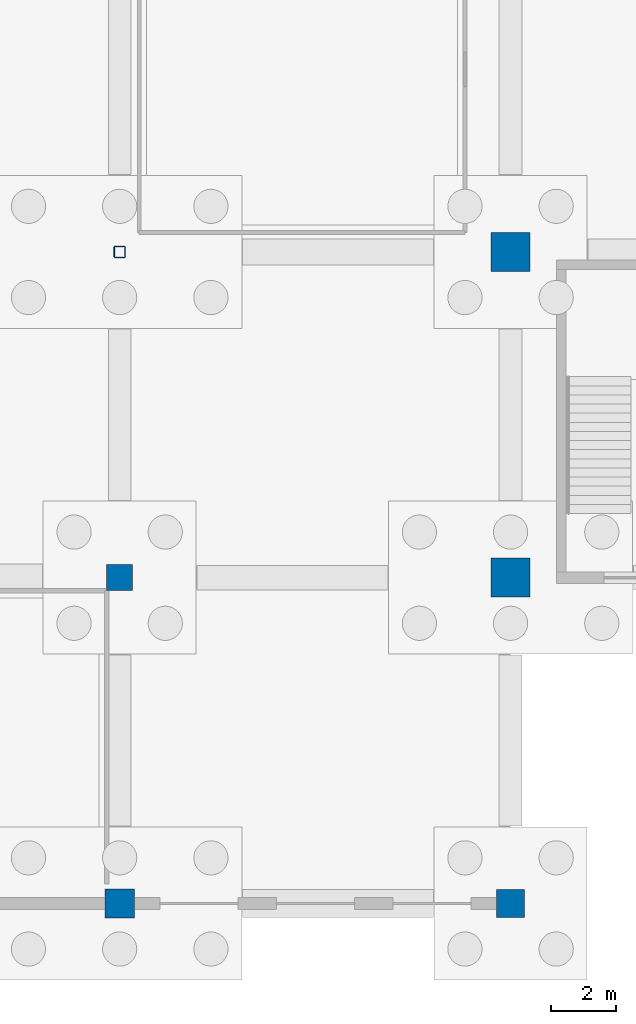
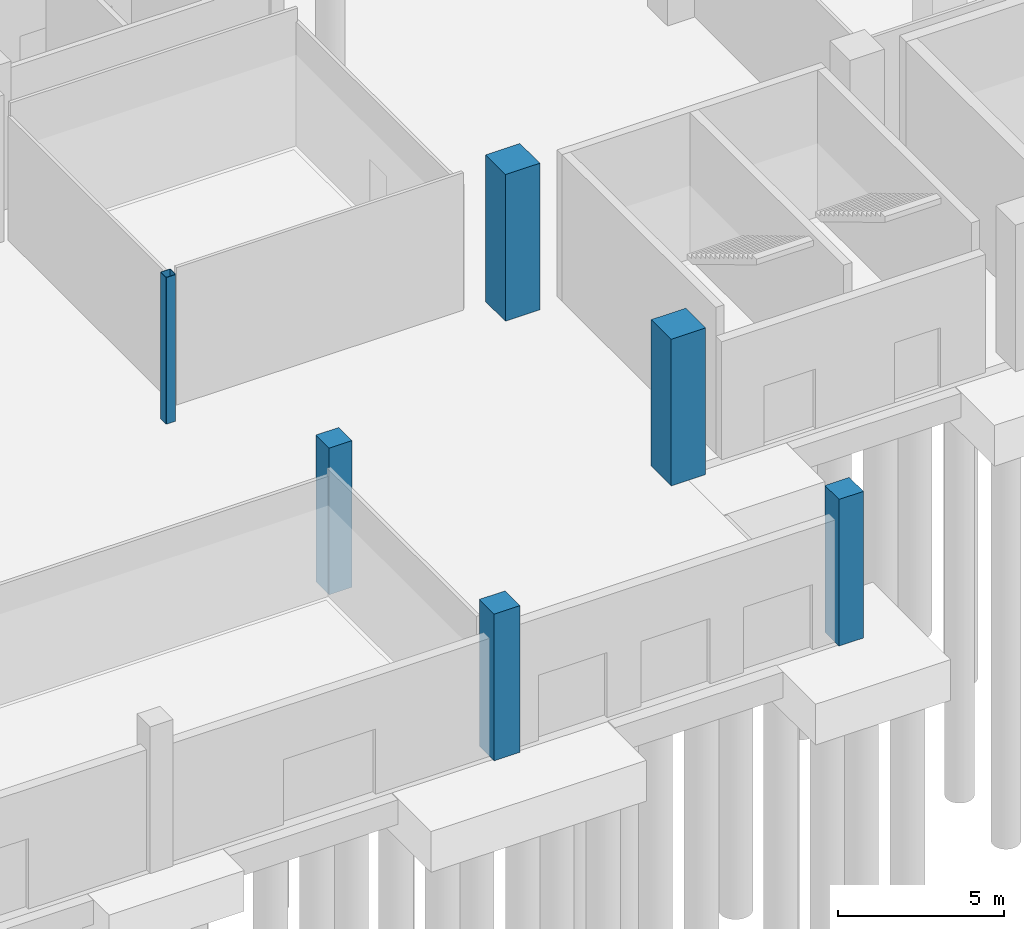
# One storey, part 11 of 70: 6 columns.
"""IFC4 building model written with IfcOpenShell, lengths in metres."""

from ifc_helpers import new_model, si_unit, direction, frame, origin, origin_2d, place, context, subcontext, project, spatial, rectangle, hollow_rectangle, extrude, material, material_profile, profile_set, type_object, element, save


model = new_model("IFC4")

# Units and contexts
model_context = context("Model", 3, precision=1e-05, world=origin(), true_north=direction((0.0, 1.0)))
body_context = subcontext(model_context, "Body", "Model", "MODEL_VIEW")
ifc_project = project(units=[si_unit("LENGTHUNIT", "METRE"), si_unit("AREAUNIT", "SQUARE_METRE"), si_unit("VOLUMEUNIT", "CUBIC_METRE"), si_unit("PLANEANGLEUNIT", "RADIAN"), si_unit("MASSUNIT", "GRAM", prefix="KILO")], contexts=[model_context])

# Site, building, storey
site_placement = place(None, origin())
site = spatial("IfcSite", under=ifc_project, at=site_placement, CompositionType="ELEMENT")
building_placement = place(site_placement, origin())
building = spatial("IfcBuilding", under=site, at=building_placement, Name="Brinegate Civic Arena", CompositionType="ELEMENT")
storey_placement = place(building_placement, origin())
storey = spatial("IfcBuildingStorey", under=building, at=storey_placement, Name="L00", CompositionType="ELEMENT", Elevation=0.0)

# Columns
ifc_material_1 = material(Name="Concrete C50/60", Category="concrete")
ifc_material_profile_1 = material_profile(ifc_material_1, rectangle(XDim=1.199951171875, YDim=1.199951171875, at=origin_2d()), Name="RC1200X1200")
ifc_profile_set_1 = profile_set([ifc_material_profile_1], Name="Concrete C50/60")
column_type_1 = type_object("IfcColumnType", Name="COL-CC01-1200", PredefinedType="COLUMN", material=ifc_profile_set_1)
for number, where, z_axis, x_axis, name in (
    (1, (60.0, 10.0, 0.0), (0.0, 0.0, 1.0), (1.0, 0.0, 0.0), "Column COL-L00-6-B"),
    (2, (60.0, 20.0, 0.0), (0.0, 0.0, 1.0), (1.0, 0.0, 0.0), "Column COL-L00-6-C"),
):
    element("IfcColumn", number, at=place(storey_placement, frame(where, z_axis=z_axis, x_axis=x_axis)), inside=storey, type_object=column_type_1, Name=name, PredefinedType="COLUMN", context=body_context, shape_type="SweptSolid", body=[
        extrude(rectangle(XDim=1.199951171875, YDim=1.199951171875, at=origin_2d()), origin(), (0.0, 0.0, 1.0), 5.39990234375),
    ])
ifc_material_profile_2 = material_profile(ifc_material_1, rectangle(XDim=0.89990234375, YDim=0.89990234375, at=origin_2d()), Name="RC900X900")
ifc_profile_set_2 = profile_set([ifc_material_profile_2], Name="Concrete C50/60")
column_type_2 = type_object("IfcColumnType", Name="COL-CC05-900", PredefinedType="COLUMN", material=ifc_profile_set_2)
column_1_placement = place(storey_placement, frame((48.0, 0.0, 0.0), z_axis=(0.0, 0.0, 1.0), x_axis=(1.0, 0.0, 0.0)))
element("IfcColumn", 3, at=column_1_placement, inside=storey, type_object=column_type_2, Name="Column COL-L00-5-A", PredefinedType="COLUMN", context=body_context, shape_type="SweptSolid", body=[
    extrude(rectangle(XDim=0.89990234375, YDim=0.89990234375, at=origin_2d()), origin(), (0.0, 0.0, 1.0), 5.39990234375),
])
ifc_material_profile_3 = material_profile(ifc_material_1, rectangle(XDim=0.85009765625, YDim=0.85009765625, at=origin_2d()), Name="RC850X850")
ifc_profile_set_3 = profile_set([ifc_material_profile_3], Name="Concrete C50/60")
column_type_3 = type_object("IfcColumnType", Name="COL-CC06-850", PredefinedType="COLUMN", material=ifc_profile_set_3)
column_2_placement = place(storey_placement, frame((60.0, 0.0, 0.0), z_axis=(0.0, 0.0, 1.0), x_axis=(1.0, 0.0, 0.0)))
element("IfcColumn", 4, at=column_2_placement, inside=storey, type_object=column_type_3, Name="Column COL-L00-6-A", PredefinedType="COLUMN", context=body_context, shape_type="SweptSolid", body=[
    extrude(rectangle(XDim=0.85009765625, YDim=0.85009765625, at=origin_2d()), origin(), (0.0, 0.0, 1.0), 5.39990234375),
])
ifc_material_profile_4 = material_profile(ifc_material_1, rectangle(XDim=0.800048828125, YDim=0.800048828125, at=origin_2d()), Name="RC800X800")
ifc_profile_set_4 = profile_set([ifc_material_profile_4], Name="Concrete C50/60")
column_type_4 = type_object("IfcColumnType", Name="COL-CC07-800", PredefinedType="COLUMN", material=ifc_profile_set_4)
column_3_placement = place(storey_placement, frame((48.0, 10.0, 0.0), z_axis=(0.0, 0.0, 1.0), x_axis=(1.0, 0.0, 0.0)))
element("IfcColumn", 5, at=column_3_placement, inside=storey, type_object=column_type_4, Name="Column COL-L00-5-B", PredefinedType="COLUMN", context=body_context, shape_type="SweptSolid", body=[
    extrude(rectangle(XDim=0.800048828125, YDim=0.800048828125, at=origin_2d()), origin(), (0.0, 0.0, 1.0), 5.39990234375),
])
ifc_material_2 = material(Name="Steel S355", Category="steel")
ifc_material_profile_5 = material_profile(ifc_material_2, hollow_rectangle(XDim=0.35009765625, YDim=0.35009765625, WallThickness=0.01611328125, InnerFilletRadius=0.01611328125, OuterFilletRadius=0.031982421875, at=origin_2d()), Name="SHS350X16")
ifc_profile_set_5 = profile_set([ifc_material_profile_5], Name="Steel S355")
column_type_5 = type_object("IfcColumnType", Name="COL-SC04-SHS350", PredefinedType="COLUMN", material=ifc_profile_set_5)
column_4_placement = place(storey_placement, frame((48.0, 20.0, 0.0), z_axis=(0.0, 0.0, 1.0), x_axis=(1.0, 0.0, 0.0)))
element("IfcColumn", 6, at=column_4_placement, inside=storey, type_object=column_type_5, Name="Column COL-L00-5-C", PredefinedType="COLUMN", context=body_context, shape_type="SweptSolid", body=[
    extrude(hollow_rectangle(XDim=0.35009765625, YDim=0.35009765625, WallThickness=0.01611328125, InnerFilletRadius=0.01611328125, OuterFilletRadius=0.031982421875, at=origin_2d()), origin(), (0.0, 0.0, 1.0), 5.39990234375),
])

save(model, "model.ifc")
